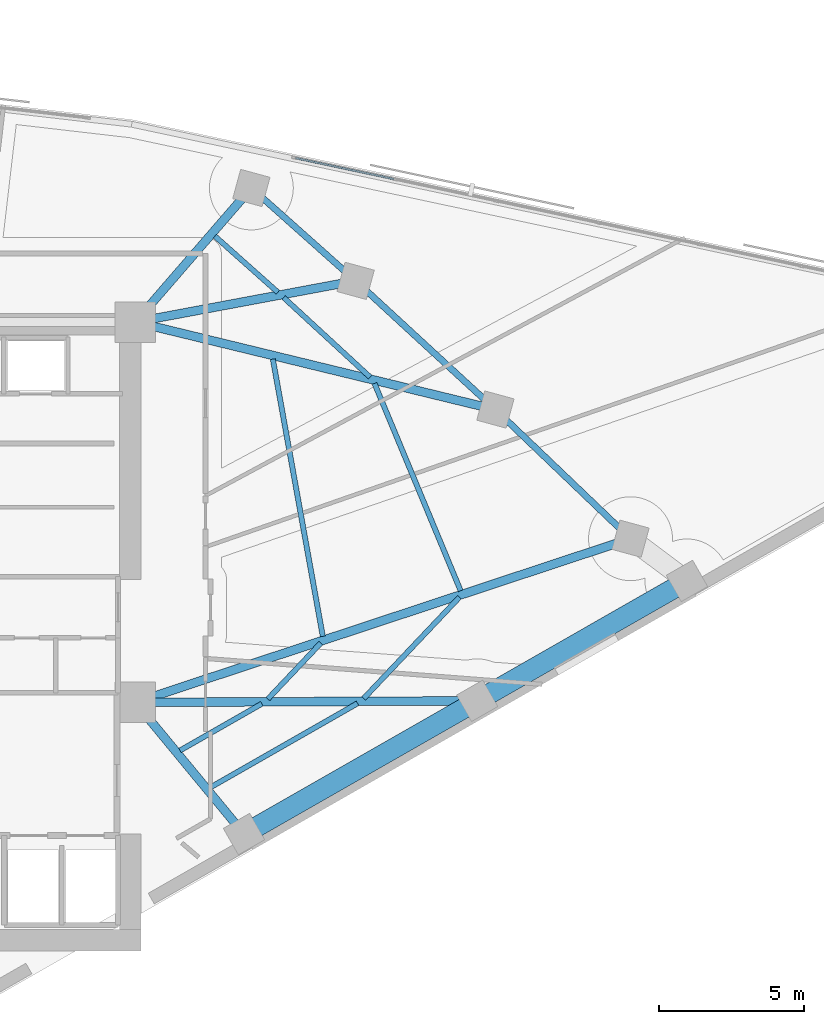
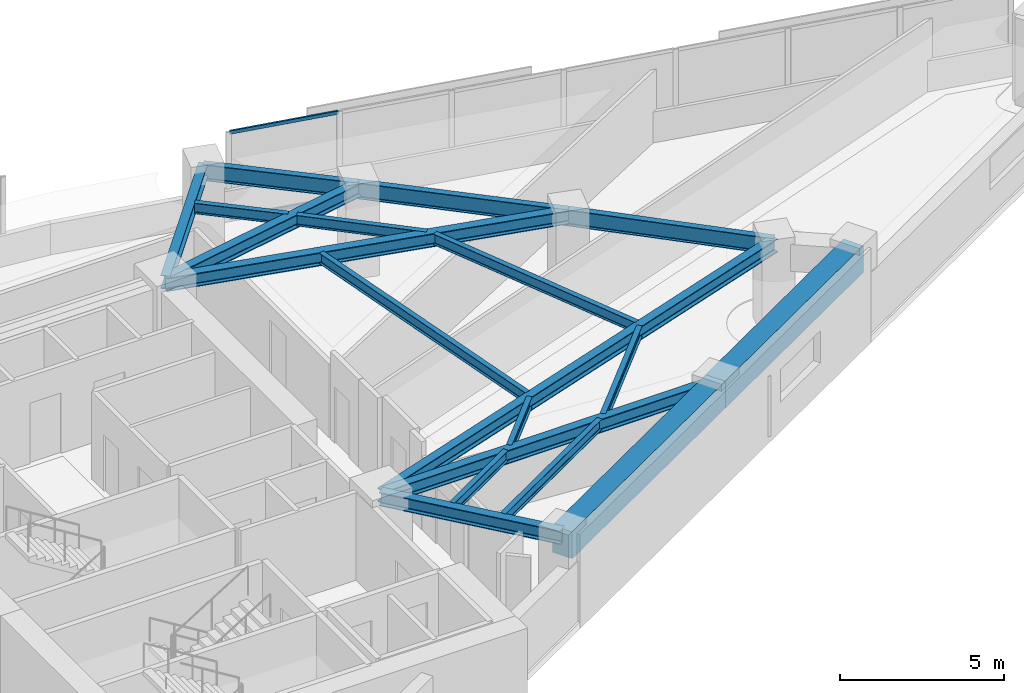
# One storey, part 3 of 14: 19 beams, 2 members, 1 element without a shape of its own.
"""IFC4 building model written with IfcOpenShell, lengths in metres."""

from ifc_helpers import new_model, si_unit, direction, frame, origin, origin_2d, place, context, subcontext, project, spatial, rectangle, hollow_rectangle, i_section, extrude, material, material_profile, profile_set, type_object, element, aggregate, save


model = new_model("IFC4")

# Units and contexts
model_context = context("Model", 3, precision=1e-05, world=origin(), true_north=direction((0.0, 1.0)))
body_context = subcontext(model_context, "Body", "Model", "MODEL_VIEW")
ifc_project = project(units=[si_unit("LENGTHUNIT", "METRE"), si_unit("AREAUNIT", "SQUARE_METRE"), si_unit("VOLUMEUNIT", "CUBIC_METRE"), si_unit("PLANEANGLEUNIT", "RADIAN"), si_unit("MASSUNIT", "GRAM", prefix="KILO")], contexts=[model_context])

# Site, building, storey
site_placement = place(None, origin())
site = spatial("IfcSite", under=ifc_project, at=site_placement, CompositionType="ELEMENT")
building_placement = place(site_placement, origin())
building = spatial("IfcBuilding", under=site, at=building_placement, Name="Narakoshi Arena Tower", CompositionType="ELEMENT")
storey_placement = place(building_placement, frame((0.0, 0.0, 218.5)))
storey = spatial("IfcBuildingStorey", under=building, at=storey_placement, Name="L59", CompositionType="ELEMENT", Elevation=218.5)

# Beams
ifc_material_1 = material(Name="Concrete C60/75", Category="concrete")
ifc_material_profile_1 = material_profile(ifc_material_1, rectangle(XDim=0.699951171875, YDim=1.0, at=origin_2d()), Name="RCB700x1000")
ifc_profile_set_1 = profile_set([ifc_material_profile_1], Name="Concrete C60/75")
beam_type_1 = type_object("IfcBeamType", Name="BM-CPL-1000", PredefinedType="BEAM", material=ifc_profile_set_1)
beam_1_placement = place(storey_placement, frame((89.30810546875, 38.798583984375, 2.760009765625), z_axis=(0.868201055882, 0.496212582031, 0.0), x_axis=(-0.496212582031, 0.868201055882, 0.0)))
element("IfcBeam", 1, at=beam_1_placement, inside=storey, type_object=beam_type_1, Name="L59 Perimeter Edge Girder 01", PredefinedType="BEAM", context=body_context, shape_type="SweptSolid", body=[
    extrude(rectangle(XDim=0.699951171875, YDim=1.0, at=origin_2d()), origin(), (0.0, 0.0, 1.0), 9.2822265625),
])
beam_2_placement = place(storey_placement, frame((97.366943359375, 43.404541015625, 2.760009765625), z_axis=(0.868192782093, 0.49622705803, 0.0), x_axis=(-0.49622705803, 0.868192782093, 0.0)))
element("IfcBeam", 2, at=beam_2_placement, inside=storey, type_object=beam_type_1, Name="L59 Perimeter Edge Girder 02", PredefinedType="BEAM", context=body_context, shape_type="SweptSolid", body=[
    extrude(rectangle(XDim=0.699951171875, YDim=1.0, at=origin_2d()), origin(), (0.0, 0.0, 1.0), 8.35400390625),
])
ifc_material_2 = material(Name="Structural steel S355J2", Category="steel")
ifc_material_profile_2 = material_profile(ifc_material_2, i_section(OverallWidth=0.219970703125, OverallDepth=0.60009765625, WebThickness=0.011962890625, FlangeThickness=0.01904296875, FilletRadius=0.02392578125, at=origin_2d()), Name="IPE600")
ifc_profile_set_2 = profile_set([ifc_material_profile_2], Name="Structural steel S355J2")
beam_type_2 = type_object("IfcBeamType", Name="BM-EDGE-600", PredefinedType="BEAM", material=ifc_profile_set_2)
beam_3_placement = place(storey_placement, frame((102.668701171875, 49.009521484375, 2.9599609375), z_axis=(-0.722814960544, 0.691041628858, 0.0), x_axis=(-0.691041628858, -0.722814960544, 0.0)))
element("IfcBeam", 3, at=beam_3_placement, inside=storey, type_object=beam_type_2, Name="L59 Perimeter Edge Girder 04", PredefinedType="BEAM", context=body_context, shape_type="SweptSolid", body=[
    extrude(i_section(OverallWidth=0.219970703125, OverallDepth=0.60009765625, WebThickness=0.011962890625, FlangeThickness=0.01904296875, FilletRadius=0.02392578125, at=origin_2d()), origin(), (0.0, 0.0, 1.0), 6.462158203125),
])
beam_4_placement = place(storey_placement, frame((97.997802734375, 53.47509765625, 2.9599609375), z_axis=(-0.735632357906, 0.677381010954, 0.0), x_axis=(-0.677381010954, -0.735632357906, 0.0)))
element("IfcBeam", 4, at=beam_4_placement, inside=storey, type_object=beam_type_2, Name="L59 Perimeter Edge Girder 05", PredefinedType="BEAM", context=body_context, shape_type="SweptSolid", body=[
    extrude(i_section(OverallWidth=0.219970703125, OverallDepth=0.60009765625, WebThickness=0.011962890625, FlangeThickness=0.01904296875, FilletRadius=0.02392578125, at=origin_2d()), origin(), (0.0, 0.0, 1.0), 6.567626953125),
])
beam_5_placement = place(storey_placement, frame((93.16650390625, 57.923828125, 2.9599609375), z_axis=(-0.746739302131, 0.665116842857, 0.0), x_axis=(-0.665116842857, -0.746739302131, 0.0)))
element("IfcBeam", 5, at=beam_5_placement, inside=storey, type_object=beam_type_2, Name="L59 Perimeter Edge Girder 06", PredefinedType="BEAM", context=body_context, shape_type="SweptSolid", body=[
    extrude(i_section(OverallWidth=0.219970703125, OverallDepth=0.60009765625, WebThickness=0.011962890625, FlangeThickness=0.01904296875, FilletRadius=0.02392578125, at=origin_2d()), origin(), (0.0, 0.0, 1.0), 4.82763671875),
])
ifc_material_profile_3 = material_profile(ifc_material_2, i_section(OverallWidth=0.300048828125, OverallDepth=0.5, WebThickness=0.014404296875, FlangeThickness=0.028076171875, FilletRadius=0.027099609375, at=origin_2d()), Name="HE500B")
ifc_profile_set_3 = profile_set([ifc_material_profile_3], Name="Structural steel S355J2")
beam_type_3 = type_object("IfcBeamType", Name="BM-PRI-500", PredefinedType="BEAM", material=ifc_profile_set_3)
beam_6_placement = place(storey_placement, frame((85.550048828125, 43.35009765625, 3.010009765625), z_axis=(0.63669116064, -0.771118905204, 0.0), x_axis=(0.771118905204, 0.63669116064, 0.0)))
element("IfcBeam", 6, at=beam_6_placement, inside=storey, type_object=beam_type_3, Name="L59 Radial Primary Floor Girder 01", PredefinedType="BEAM", context=body_context, shape_type="SweptSolid", body=[
    extrude(i_section(OverallWidth=0.300048828125, OverallDepth=0.5, WebThickness=0.014404296875, FlangeThickness=0.028076171875, FilletRadius=0.027099609375, at=origin_2d()), origin(), (0.0, 0.0, 1.0), 5.902587890625),
])
beam_7_placement = place(storey_placement, frame((85.550048828125, 43.35009765625, 3.010009765625), z_axis=(0.999989386804, 0.004607198737, 0.0), x_axis=(-0.004607198737, 0.999989386804, 0.0)))
element("IfcBeam", 7, at=beam_7_placement, inside=storey, type_object=beam_type_3, Name="L59 Radial Primary Floor Girder 02", PredefinedType="BEAM", context=body_context, shape_type="SweptSolid", body=[
    extrude(i_section(OverallWidth=0.300048828125, OverallDepth=0.5, WebThickness=0.014404296875, FlangeThickness=0.028076171875, FilletRadius=0.027099609375, at=origin_2d()), origin(), (0.0, 0.0, 1.0), 11.817138671875),
])
beam_8_placement = place(storey_placement, frame((85.550048828125, 43.35009765625, 3.010009765625), z_axis=(0.949459022771, 0.313891006687, 0.0), x_axis=(-0.313891006687, 0.949459022771, 0.0)))
element("IfcBeam", 8, at=beam_8_placement, inside=storey, type_object=beam_type_3, Name="L59 Radial Primary Floor Girder 04", PredefinedType="BEAM", context=body_context, shape_type="SweptSolid", body=[
    extrude(i_section(OverallWidth=0.300048828125, OverallDepth=0.5, WebThickness=0.014404296875, FlangeThickness=0.028076171875, FilletRadius=0.027099609375, at=origin_2d()), origin(), (0.0, 0.0, 1.0), 18.02978515625),
])
beam_9_placement = place(storey_placement, frame((85.550048828125, 56.5, 3.010009765625), z_axis=(0.971720101952, -0.236135646318, 0.0), x_axis=(0.236135646318, 0.971720101952, 0.0)))
element("IfcBeam", 9, at=beam_9_placement, inside=storey, type_object=beam_type_3, Name="L59 Radial Primary Floor Girder 05", PredefinedType="BEAM", context=body_context, shape_type="SweptSolid", body=[
    extrude(i_section(OverallWidth=0.300048828125, OverallDepth=0.5, WebThickness=0.014404296875, FlangeThickness=0.028076171875, FilletRadius=0.027099609375, at=origin_2d()), origin(), (0.0, 0.0, 1.0), 12.81005859375),
])
beam_10_placement = place(storey_placement, frame((85.550048828125, 56.5, 3.010009765625), z_axis=(0.982971563011, 0.183757738099, 0.0), x_axis=(-0.183757738099, 0.982971563011, 0.0)))
element("IfcBeam", 10, at=beam_10_placement, inside=storey, type_object=beam_type_3, Name="L59 Radial Primary Floor Girder 06", PredefinedType="BEAM", context=body_context, shape_type="SweptSolid", body=[
    extrude(i_section(OverallWidth=0.300048828125, OverallDepth=0.5, WebThickness=0.014404296875, FlangeThickness=0.028076171875, FilletRadius=0.027099609375, at=origin_2d()), origin(), (0.0, 0.0, 1.0), 7.748291015625),
])
beam_11_placement = place(storey_placement, frame((85.550048828125, 56.5, 3.010009765625), z_axis=(0.654434553487, 0.756118651537, 0.0), x_axis=(-0.756118651537, 0.654434553487, 0.0)))
element("IfcBeam", 11, at=beam_11_placement, inside=storey, type_object=beam_type_3, Name="L59 Radial Primary Floor Girder 07", PredefinedType="BEAM", context=body_context, shape_type="SweptSolid", body=[
    extrude(i_section(OverallWidth=0.300048828125, OverallDepth=0.5, WebThickness=0.014404296875, FlangeThickness=0.028076171875, FilletRadius=0.027099609375, at=origin_2d()), origin(), (0.0, 0.0, 1.0), 6.129638671875),
])
ifc_material_profile_4 = material_profile(ifc_material_2, i_section(OverallWidth=0.179931640625, OverallDepth=0.39990234375, WebThickness=0.008544921875, FlangeThickness=0.013427734375, FilletRadius=0.02099609375, at=origin_2d()), Name="IPE400")
ifc_profile_set_4 = profile_set([ifc_material_profile_4], Name="Structural steel S355J2")
beam_type_4 = type_object("IfcBeamType", Name="BM-SEC-400", PredefinedType="JOIST", material=ifc_profile_set_4)
beam_12_placement = place(storey_placement, frame((87.09521484375, 41.6875, 3.06005859375), z_axis=(0.868206238695, 0.496203513784, 0.0), x_axis=(-0.496203513784, 0.868206238695, 0.0)))
element("IfcBeam", 12, at=beam_12_placement, inside=storey, type_object=beam_type_4, Name="L59 Composite Secondary Floor Joist 01", PredefinedType="JOIST", context=body_context, shape_type="SweptSolid", body=[
    extrude(i_section(OverallWidth=0.179931640625, OverallDepth=0.39990234375, WebThickness=0.008544921875, FlangeThickness=0.013427734375, FilletRadius=0.02099609375, at=origin_2d()), origin(), (0.0, 0.0, 1.0), 3.257080078125),
])
beam_13_placement = place(storey_placement, frame((88.1474609375, 40.4130859375, 3.06005859375), z_axis=(0.868199526445, 0.496215258008, 0.0), x_axis=(-0.496215258008, 0.868199526445, 0.0)))
element("IfcBeam", 13, at=beam_13_placement, inside=storey, type_object=beam_type_4, Name="L59 Composite Secondary Floor Joist 02", PredefinedType="JOIST", context=body_context, shape_type="SweptSolid", body=[
    extrude(i_section(OverallWidth=0.179931640625, OverallDepth=0.39990234375, WebThickness=0.008544921875, FlangeThickness=0.013427734375, FilletRadius=0.02099609375, at=origin_2d()), origin(), (0.0, 0.0, 1.0), 5.8564453125),
])
beam_14_placement = place(storey_placement, frame((90.13330078125, 43.46875, 3.06005859375), z_axis=(0.687159296993, 0.726506779429, 0.0), x_axis=(-0.726506779429, 0.687159296993, 0.0)))
element("IfcBeam", 14, at=beam_14_placement, inside=storey, type_object=beam_type_4, Name="L59 Composite Secondary Floor Joist 03", PredefinedType="JOIST", context=body_context, shape_type="SweptSolid", body=[
    extrude(i_section(OverallWidth=0.179931640625, OverallDepth=0.39990234375, WebThickness=0.008544921875, FlangeThickness=0.013427734375, FilletRadius=0.02099609375, at=origin_2d()), origin(), (0.0, 0.0, 1.0), 2.661865234375),
])
beam_15_placement = place(storey_placement, frame((93.44189453125, 43.484130859375, 3.06005859375), z_axis=(0.687189743589, 0.726477980606, 0.0), x_axis=(-0.726477980606, 0.687189743589, 0.0)))
element("IfcBeam", 15, at=beam_15_placement, inside=storey, type_object=beam_type_4, Name="L59 Composite Secondary Floor Joist 04", PredefinedType="JOIST", context=body_context, shape_type="SweptSolid", body=[
    extrude(i_section(OverallWidth=0.179931640625, OverallDepth=0.39990234375, WebThickness=0.008544921875, FlangeThickness=0.013427734375, FilletRadius=0.02099609375, at=origin_2d()), origin(), (0.0, 0.0, 1.0), 4.822021484375),
])
beam_16_placement = place(storey_placement, frame((92.03125, 45.633544921875, 3.06005859375), z_axis=(-0.177340942745, 0.984149475449, 0.0), x_axis=(-0.984149475449, -0.177340942745, 0.0)))
element("IfcBeam", 16, at=beam_16_placement, inside=storey, type_object=beam_type_4, Name="L59 Composite Secondary Floor Joist 05", PredefinedType="JOIST", context=body_context, shape_type="SweptSolid", body=[
    extrude(i_section(OverallWidth=0.179931640625, OverallDepth=0.39990234375, WebThickness=0.008544921875, FlangeThickness=0.013427734375, FilletRadius=0.02099609375, at=origin_2d()), origin(), (0.0, 0.0, 1.0), 9.738525390625),
])
beam_17_placement = place(storey_placement, frame((96.796630859375, 47.2099609375, 3.06005859375), z_axis=(-0.38375775384, 0.923433801833, 0.0), x_axis=(-0.923433801833, -0.38375775384, 0.0)))
element("IfcBeam", 17, at=beam_17_placement, inside=storey, type_object=beam_type_4, Name="L59 Composite Secondary Floor Joist 06", PredefinedType="JOIST", context=body_context, shape_type="SweptSolid", body=[
    extrude(i_section(OverallWidth=0.179931640625, OverallDepth=0.39990234375, WebThickness=0.008544921875, FlangeThickness=0.013427734375, FilletRadius=0.02099609375, at=origin_2d()), origin(), (0.0, 0.0, 1.0), 7.763427734375),
])
beam_18_placement = place(storey_placement, frame((93.666259765625, 54.59521484375, 3.06005859375), z_axis=(-0.735666392009, 0.677344048227, 0.0), x_axis=(-0.677344048227, -0.735666392009, 0.0)))
element("IfcBeam", 18, at=beam_18_placement, inside=storey, type_object=beam_type_4, Name="L59 Composite Secondary Floor Joist 07", PredefinedType="JOIST", context=body_context, shape_type="SweptSolid", body=[
    extrude(i_section(OverallWidth=0.179931640625, OverallDepth=0.39990234375, WebThickness=0.008544921875, FlangeThickness=0.013427734375, FilletRadius=0.02099609375, at=origin_2d()), origin(), (0.0, 0.0, 1.0), 4.064697265625),
])
beam_19_placement = place(storey_placement, frame((90.47607421875, 57.529541015625, 3.06005859375), z_axis=(-0.746743762935, 0.665111834595, 0.0), x_axis=(-0.665111834595, -0.746743762935, 0.0)))
element("IfcBeam", 19, at=beam_19_placement, inside=storey, type_object=beam_type_4, Name="L59 Composite Secondary Floor Joist 08", PredefinedType="JOIST", context=body_context, shape_type="SweptSolid", body=[
    extrude(i_section(OverallWidth=0.179931640625, OverallDepth=0.39990234375, WebThickness=0.008544921875, FlangeThickness=0.013427734375, FilletRadius=0.02099609375, at=origin_2d()), origin(), (0.0, 0.0, 1.0), 2.916015625),
])

# Curtain wall, members
ifc_material_3 = material(Name="Anodised bronze aluminium 6063-T6", Category="aluminium")
curtain_wall_type = type_object("IfcCurtainWallType", Name="CW-HYP-MID", PredefinedType="NOTDEFINED", material=ifc_material_3)
curtain_wall_placement = place(storey_placement, origin())
curtain_wall = element("IfcCurtainWall", 20, at=curtain_wall_placement, inside=storey, type_object=curtain_wall_type, Name="L59 Folded Hypotenuse Curtain Wall 1-1", PredefinedType="NOTDEFINED")
ifc_material_profile_5 = material_profile(ifc_material_3, hollow_rectangle(XDim=0.06494140625, YDim=0.1298828125, WallThickness=0.00390625, OuterFilletRadius=0.0048828125, at=origin_2d()), Name="TRN130x65x4")
ifc_profile_set_5 = profile_set([ifc_material_profile_5], Name="Anodised bronze aluminium 6063-T6")
member_type = type_object("IfcMemberType", Name="MEM-TRN-130", PredefinedType="USERDEFINED", material=ifc_profile_set_5)
member_1_placement = place(storey_placement, frame((94.4892578125, 61.442138671875, 0.032470703125), z_axis=(-0.977945872942, 0.208858491797, 0.0), x_axis=(-0.208858491797, -0.977945872942, 0.0)))
member_1 = element("IfcMember", 21, at=member_1_placement, type_object=member_type, Name="CW-02 transom 7.1", ObjectType="TRANSOM", PredefinedType="USERDEFINED", context=body_context, shape_type="SweptSolid", body=[
    extrude(hollow_rectangle(XDim=0.06494140625, YDim=0.1298828125, WallThickness=0.00390625, OuterFilletRadius=0.0048828125, at=origin_2d()), origin(), (0.0, 0.0, 1.0), 3.48095703125),
])
member_2_placement = place(storey_placement, frame((94.4892578125, 61.442138671875, 3.2275390625), z_axis=(-0.977945872942, 0.208858491797, 0.0), x_axis=(-0.208858491797, -0.977945872942, 0.0)))
member_2 = element("IfcMember", 22, at=member_2_placement, type_object=member_type, Name="CW-02 transom 7.2", ObjectType="TRANSOM", PredefinedType="USERDEFINED", context=body_context, shape_type="SweptSolid", body=[
    extrude(hollow_rectangle(XDim=0.06494140625, YDim=0.1298828125, WallThickness=0.00390625, OuterFilletRadius=0.0048828125, at=origin_2d()), origin(), (0.0, 0.0, 1.0), 3.48095703125),
])
aggregate(curtain_wall, [member_1, member_2])

save(model, "model.ifc")
